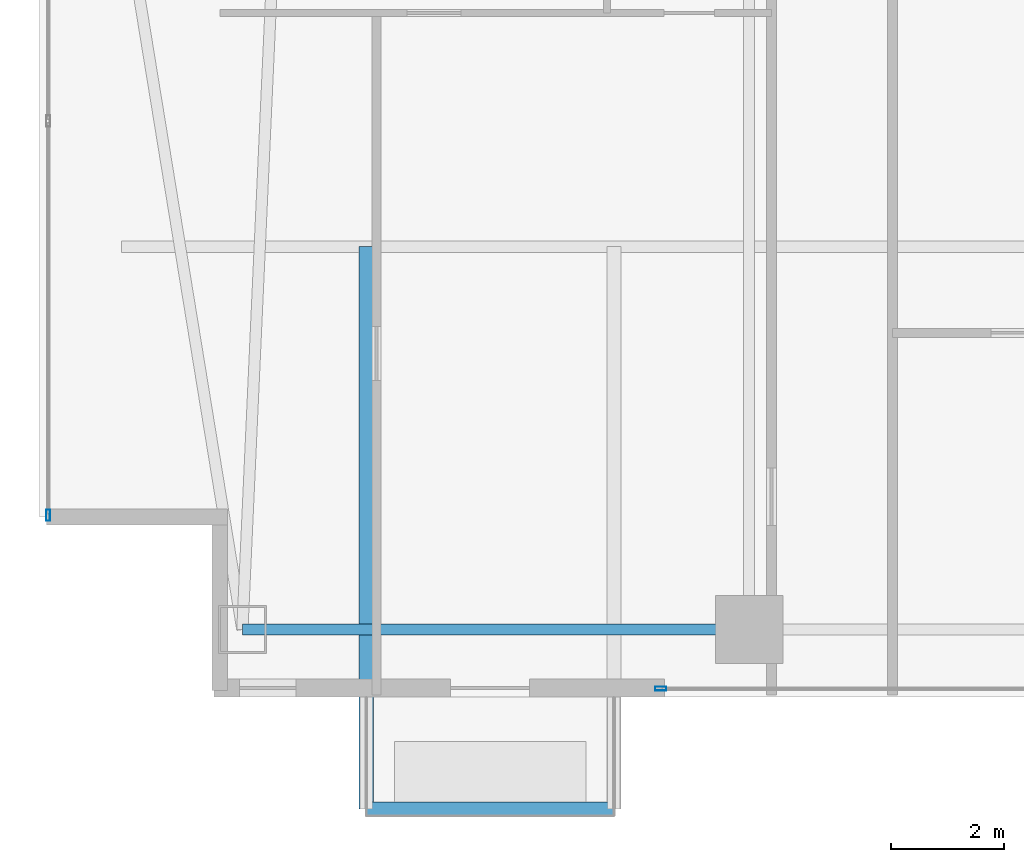
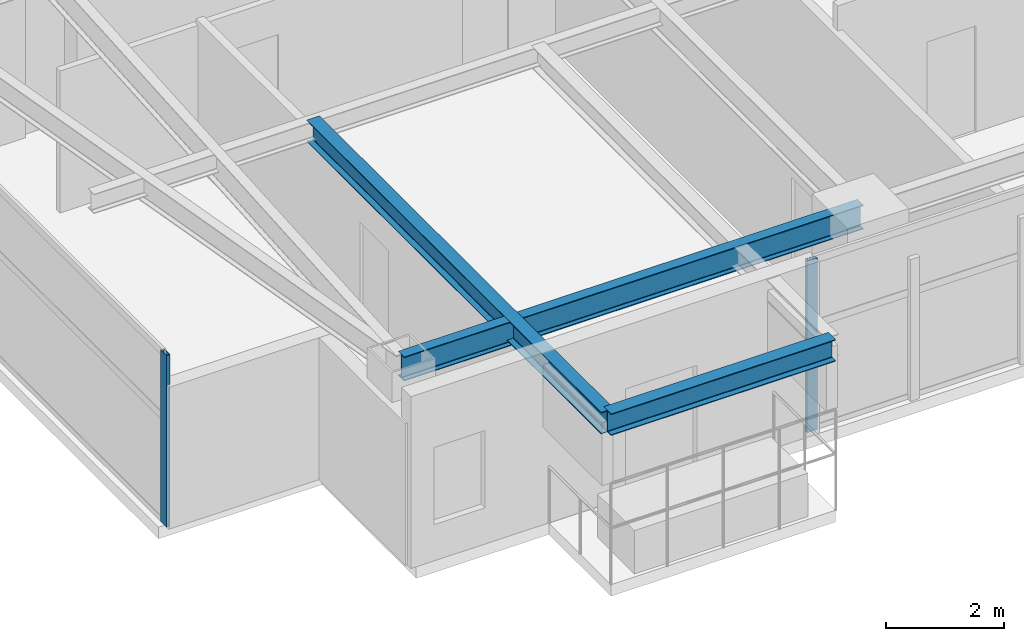
# One storey, part 2 of 29: 3 beams, 2 members, 2 elements without a shape of their own.
"""IFC4 building model written with IfcOpenShell, lengths in metres."""

from ifc_helpers import new_model, si_unit, direction, frame, origin, origin_2d, place, context, subcontext, project, spatial, hollow_rectangle, i_section, extrude, material, layer, layer_set, material_profile, profile_set, type_object, element, aggregate, save


model = new_model("IFC4")

# Units and contexts
model_context = context("Model", 3, precision=1e-05, world=origin(), true_north=direction((0.0, 1.0)))
body_context = subcontext(model_context, "Body", "Model", "MODEL_VIEW")
ifc_project = project(units=[si_unit("LENGTHUNIT", "METRE"), si_unit("AREAUNIT", "SQUARE_METRE"), si_unit("VOLUMEUNIT", "CUBIC_METRE"), si_unit("PLANEANGLEUNIT", "RADIAN"), si_unit("MASSUNIT", "GRAM", prefix="KILO")], contexts=[model_context])

# Site, building, storey
site_placement = place(None, origin())
site = spatial("IfcSite", under=ifc_project, at=site_placement, CompositionType="ELEMENT")
building_placement = place(site_placement, origin())
building = spatial("IfcBuilding", under=site, at=building_placement, Name="Calvorn Quay Hotel", CompositionType="ELEMENT")
storey_placement = place(building_placement, frame((0.0, 0.0, 175.10009765625)))
storey = spatial("IfcBuildingStorey", under=building, at=storey_placement, Name="L43", CompositionType="ELEMENT", Elevation=175.10009765625)

# Beams
ifc_material_1 = material(Name="Steel Q355B", Category="steel")
ifc_material_profile_1 = material_profile(ifc_material_1, i_section(OverallWidth=0.25, OverallDepth=0.449951171875, WebThickness=0.011962890625, FlangeThickness=0.01611328125, FilletRadius=0.01611328125, at=origin_2d()), Name="HN450x250x12x16")
ifc_profile_set_1 = profile_set([ifc_material_profile_1], Name="Steel Q355B")
beam_type_1 = type_object("IfcBeamType", Name="BM-CANT-BALC", PredefinedType="BEAM", material=ifc_profile_set_1)
beam_1_placement = place(storey_placement, frame((5.800048828125, 10.39990234375, 3.31494140625), z_axis=(0.0, -1.0, 0.0), x_axis=(1.0, 0.0, 0.0)))
element("IfcBeam", 1, at=beam_1_placement, inside=storey, type_object=beam_type_1, Name="Cantilever Balcony Beam BCB-L44-2A", PredefinedType="BEAM", context=body_context, shape_type="SweptSolid", body=[
    extrude(i_section(OverallWidth=0.25, OverallDepth=0.449951171875, WebThickness=0.011962890625, FlangeThickness=0.01611328125, FilletRadius=0.01611328125, at=origin_2d()), origin(), (0.0, 0.0, 1.0), 9.989990234375),
])
beam_2_placement = place(storey_placement, frame((5.800048828125, 0.409912109375, 3.31494140625), z_axis=(1.0, 0.0, 0.0), x_axis=(0.0, 1.0, 0.0)))
element("IfcBeam", 2, at=beam_2_placement, inside=storey, type_object=beam_type_1, Name="Beam BCBO-L44-2", PredefinedType="BEAM", context=body_context, shape_type="SweptSolid", body=[
    extrude(i_section(OverallWidth=0.25, OverallDepth=0.449951171875, WebThickness=0.011962890625, FlangeThickness=0.01611328125, FilletRadius=0.01611328125, at=origin_2d()), origin(), (0.0, 0.0, 1.0), 4.39990234375),
])
ifc_material_2 = material(Name="Steel Q355B", Category="steel")
ifc_material_profile_2 = material_profile(ifc_material_2, i_section(OverallWidth=0.199951171875, OverallDepth=0.5, WebThickness=0.010009765625, FlangeThickness=0.01611328125, FilletRadius=0.01611328125, at=origin_2d()), Name="HN500x200x10x16")
ifc_profile_set_2 = profile_set([ifc_material_profile_2], Name="Steel Q355B")
beam_type_2 = type_object("IfcBeamType", Name="BM-SPANDREL-Z1", PredefinedType="SPANDREL", material=ifc_profile_set_2)
beam_3_placement = place(storey_placement, frame((3.60009765625, 3.60009765625, 3.289794921875), z_axis=(1.0, 0.0, 0.0), x_axis=(0.0, 1.0, 0.0)))
element("IfcBeam", 3, at=beam_3_placement, inside=storey, type_object=beam_type_2, Name="Beam BSP-L43-S1", PredefinedType="SPANDREL", context=body_context, shape_type="SweptSolid", body=[
    extrude(i_section(OverallWidth=0.199951171875, OverallDepth=0.5, WebThickness=0.010009765625, FlangeThickness=0.01611328125, FilletRadius=0.01611328125, at=origin_2d()), origin(), (0.0, 0.0, 1.0), 9.0),
])

# Curtain wall, member
ifc_material_3 = material(Name="Pale Anodised Aluminium and Low-E Glass", Category="aluminium")
ifc_layer = layer(ifc_material_3, 0.219970703125)
ifc_layer_set = layer_set([ifc_layer], Name="CW-SYS-Z2")
curtain_wall_type = type_object("IfcCurtainWallType", Name="CW-SYS-Z2", PredefinedType="NOTDEFINED", material=ifc_layer_set)
curtain_wall_1_placement = place(storey_placement, origin())
curtain_wall_1 = element("IfcCurtainWall", 4, at=curtain_wall_1_placement, inside=storey, type_object=curtain_wall_type, Name="Tower West Curtain Wall (L43)", PredefinedType="NOTDEFINED")
ifc_material_4 = material(Name="Pale Anodised Aluminium 6063-T6", Category="aluminium")
ifc_material_profile_3 = material_profile(ifc_material_4, hollow_rectangle(XDim=0.070068359375, YDim=0.199951171875, WallThickness=0.00390625, at=origin_2d()), Name="ALU-M200x70x4")
ifc_profile_set_3 = profile_set([ifc_material_profile_3], Name="Pale Anodised Aluminium 6063-T6")
member_type = type_object("IfcMemberType", Name="CW-SYS-Z2-MUL", PredefinedType="MULLION", material=ifc_profile_set_3)
member_1_placement = place(storey_placement, frame((0.14990234375, 5.6298828125, 0.0), z_axis=(0.0, 0.0, 1.0), x_axis=(-1.0, 0.0, 0.0)))
member_1 = element("IfcMember", 5, at=member_1_placement, type_object=member_type, Name="CW-L43-W mullion 1", PredefinedType="MULLION", context=body_context, shape_type="SweptSolid", body=[
    extrude(hollow_rectangle(XDim=0.070068359375, YDim=0.199951171875, WallThickness=0.00390625, at=origin_2d()), origin(), (0.0, 0.0, 1.0), 3.559814453125),
])
aggregate(curtain_wall_1, [member_1])

curtain_wall_2_placement = place(storey_placement, origin())
curtain_wall_2 = element("IfcCurtainWall", 6, at=curtain_wall_2_placement, inside=storey, type_object=curtain_wall_type, Name="Tower South Waterfront Curtain Wall (L43)", PredefinedType="NOTDEFINED")
member_2_placement = place(storey_placement, frame((11.030029296875, 2.550048828125, 0.0), z_axis=(0.0, 0.0, 1.0), x_axis=(0.0, 1.0, 0.0)))
member_2 = element("IfcMember", 7, at=member_2_placement, type_object=member_type, Name="CW-L43-S mullion 1", PredefinedType="MULLION", context=body_context, shape_type="SweptSolid", body=[
    extrude(hollow_rectangle(XDim=0.070068359375, YDim=0.199951171875, WallThickness=0.00390625, at=origin_2d()), origin(), (0.0, 0.0, 1.0), 3.559814453125),
])
aggregate(curtain_wall_2, [member_2])

save(model, "model.ifc")
